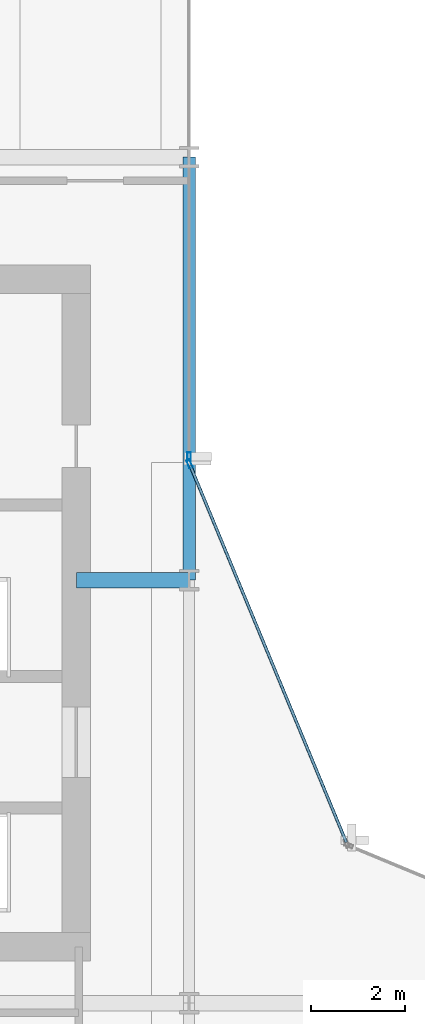
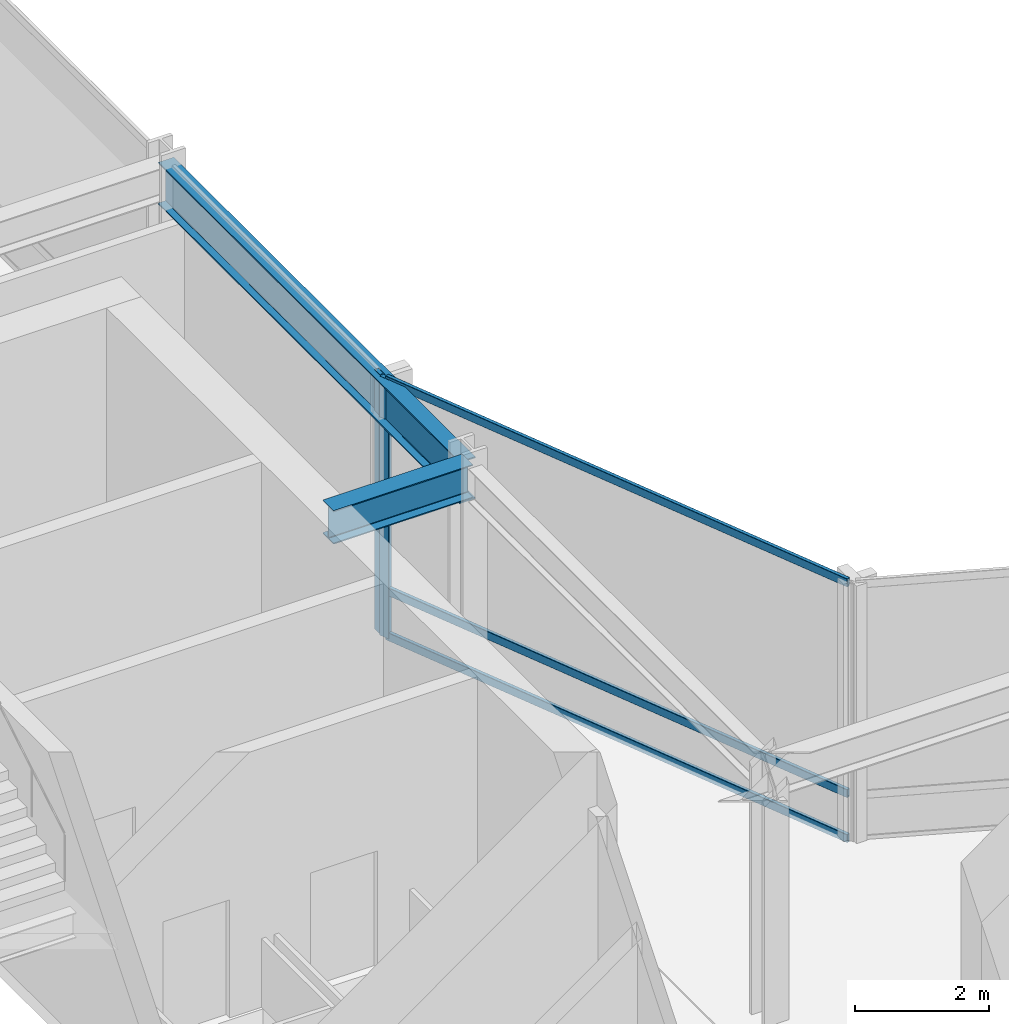
# One storey, part 17 of 33: 5 members, 2 beams, 2 elements without a shape of their own.
"""IFC4 building model written with IfcOpenShell, lengths in metres."""

from ifc_helpers import new_model, si_unit, direction, frame, origin, origin_2d, place, context, subcontext, project, spatial, hollow_rectangle, i_section, extrude, material, layer, layer_set, material_profile, profile_set, type_object, element, aggregate, save


model = new_model("IFC4")

# Units and contexts
model_context = context("Model", 3, precision=1e-05, world=origin(), true_north=direction((0.0, 1.0)))
body_context = subcontext(model_context, "Body", "Model", "MODEL_VIEW")
ifc_project = project(units=[si_unit("LENGTHUNIT", "METRE"), si_unit("AREAUNIT", "SQUARE_METRE"), si_unit("VOLUMEUNIT", "CUBIC_METRE"), si_unit("PLANEANGLEUNIT", "RADIAN"), si_unit("MASSUNIT", "GRAM", prefix="KILO")], contexts=[model_context])

# Site, building, storey
site_placement = place(None, origin())
site = spatial("IfcSite", under=ifc_project, at=site_placement, CompositionType="ELEMENT")
building_placement = place(site_placement, origin())
building = spatial("IfcBuilding", under=site, at=building_placement, Name="Solvaryn Broadcast Tower", CompositionType="ELEMENT")
storey_placement = place(building_placement, frame((0.0, 0.0, 105.0)))
storey = spatial("IfcBuildingStorey", under=building, at=storey_placement, Name="L25", CompositionType="ELEMENT", Elevation=105.0)

# Beams
ifc_material_1 = material(Name="Steel ASTM A992 Grade 50", Category="steel")
ifc_material_profile_1 = material_profile(ifc_material_1, i_section(OverallWidth=0.323974609375, OverallDepth=0.611083984375, WebThickness=0.0126953125, FlangeThickness=0.01904296875, FilletRadius=0.014892578125, at=origin_2d()))
ifc_profile_set_1 = profile_set([ifc_material_profile_1], Name="Steel ASTM A992 Grade 50")
beam_type_1 = type_object("IfcBeamType", Name="BM-B1-W24X104", PredefinedType="BEAM", material=ifc_profile_set_1)
beam_1_placement = place(storey_placement, frame((24.60009765625, 36.0, 4.41455078125), z_axis=(1.0, 0.0, 0.0), x_axis=(0.0, 1.0, 0.0)))
element("IfcBeam", 1, at=beam_1_placement, inside=storey, type_object=beam_type_1, Name="L25 Core Tie Beam CTW2", PredefinedType="BEAM", context=body_context, shape_type="SweptSolid", body=[
    extrude(i_section(OverallWidth=0.323974609375, OverallDepth=0.611083984375, WebThickness=0.0126953125, FlangeThickness=0.01904296875, FilletRadius=0.014892578125, at=origin_2d()), origin(), (0.0, 0.0, 1.0), 2.39990234375),
])
ifc_material_2 = material(Name="Steel ASTM A992 Grade 50", Category="steel")
ifc_material_profile_2 = material_profile(ifc_material_2, i_section(OverallWidth=0.26708984375, OverallDepth=0.76611328125, WebThickness=0.014892578125, FlangeThickness=0.023681640625, FilletRadius=0.01806640625, at=origin_2d()))
ifc_profile_set_2 = profile_set([ifc_material_profile_2], Name="Steel ASTM A992 Grade 50")
beam_type_2 = type_object("IfcBeamType", Name="BM-SP2-W30X124", PredefinedType="USERDEFINED", material=ifc_profile_set_2)
beam_2_placement = place(storey_placement, frame((27.0, 36.0, 4.3369140625), z_axis=(0.0, 1.0, 0.0), x_axis=(-1.0, 0.0, 0.0)))
element("IfcBeam", 2, at=beam_2_placement, inside=storey, type_object=beam_type_2, Name="L25 Spandrel Beam Y (36-45 @ X=27)", ObjectType="SPANDREL", PredefinedType="USERDEFINED", context=body_context, shape_type="SweptSolid", body=[
    extrude(i_section(OverallWidth=0.26708984375, OverallDepth=0.76611328125, WebThickness=0.014892578125, FlangeThickness=0.023681640625, FilletRadius=0.01806640625, at=origin_2d()), origin(), (0.0, 0.0, 1.0), 9.0),
])

# Curtain wall, member
ifc_material_3 = material(Name="Aluminium and Terracotta Unitised Curtain Wall", Category="masonry")
ifc_layer = layer(ifc_material_3, 0.25)
ifc_layer_set = layer_set([ifc_layer], Name="CW-SYS4-SKYGARDEN")
curtain_wall_type = type_object("IfcCurtainWallType", Name="CW-SYS4-SKYGARDEN", PredefinedType="NOTDEFINED", material=ifc_layer_set)
curtain_wall_1_placement = place(storey_placement, origin())
curtain_wall_1 = element("IfcCurtainWall", 3, at=curtain_wall_1_placement, inside=storey, type_object=curtain_wall_type, Name="L25 Curtain Wall IV", PredefinedType="NOTDEFINED")
ifc_material_4 = material(Name="Anodised Aluminium 6063-T6", Category="aluminium")
ifc_material_profile_3 = material_profile(ifc_material_4, hollow_rectangle(XDim=0.074951171875, YDim=0.179931640625, WallThickness=0.00390625, InnerFilletRadius=0.00390625, OuterFilletRadius=0.008056640625, at=origin_2d()))
ifc_profile_set_3 = profile_set([ifc_material_profile_3], Name="Anodised Aluminium 6063-T6")
member_type_1 = type_object("IfcMemberType", Name="CW-MUL-180", PredefinedType="MULLION", material=ifc_profile_set_3)
member_1_placement = place(storey_placement, frame((27.0, 38.6298828125, 0.0), z_axis=(0.0, 0.0, 1.0), x_axis=(1.0, 0.0, 0.0)))
member_1 = element("IfcMember", 4, at=member_1_placement, type_object=member_type_1, Name="CWS4 mullion 2", PredefinedType="MULLION", context=body_context, shape_type="SweptSolid", body=[
    extrude(hollow_rectangle(XDim=0.074951171875, YDim=0.179931640625, WallThickness=0.00390625, InnerFilletRadius=0.00390625, OuterFilletRadius=0.008056640625, at=origin_2d()), origin(), (0.0, 0.0, 1.0), 4.719970703125),
])
aggregate(curtain_wall_1, [member_1])

# Curtain wall, members
curtain_wall_2_placement = place(storey_placement, origin())
curtain_wall_2 = element("IfcCurtainWall", 5, at=curtain_wall_2_placement, inside=storey, type_object=curtain_wall_type, Name="L25 Curtain Wall CN2", PredefinedType="NOTDEFINED")
member_2_placement = place(storey_placement, frame((27.011474609375, 38.47216796875, 0.0), z_axis=(0.0, 0.0, 1.0), x_axis=(-0.923894983957, -0.382646127145, 0.0)))
member_2 = element("IfcMember", 6, at=member_2_placement, type_object=member_type_1, Name="CWS4 mullion 2", PredefinedType="MULLION", context=body_context, shape_type="SweptSolid", body=[
    extrude(hollow_rectangle(XDim=0.074951171875, YDim=0.179931640625, WallThickness=0.00390625, InnerFilletRadius=0.00390625, OuterFilletRadius=0.008056640625, at=origin_2d()), origin(), (0.0, 0.0, 1.0), 4.719970703125),
])
ifc_material_5 = material(Name="Anodised Aluminium 6063-T6", Category="aluminium")
ifc_material_profile_4 = material_profile(ifc_material_5, hollow_rectangle(XDim=0.06494140625, YDim=0.14990234375, WallThickness=0.00390625, InnerFilletRadius=0.00390625, OuterFilletRadius=0.008056640625, at=origin_2d()))
ifc_profile_set_4 = profile_set([ifc_material_profile_4], Name="Anodised Aluminium 6063-T6")
member_type_2 = type_object("IfcMemberType", Name="CW-TRN-150", PredefinedType="USERDEFINED", material=ifc_profile_set_4)
member_3_placement = place(storey_placement, frame((30.344970703125, 30.42333984375, 0.030029296875), z_axis=(-0.382635748975, 0.923899282177, 0.0), x_axis=(-0.923899282177, -0.382635748975, 0.0)))
member_3 = element("IfcMember", 7, at=member_3_placement, type_object=member_type_2, Name="CWS4 transom 1.1", ObjectType="TRANSOM", PredefinedType="USERDEFINED", context=body_context, shape_type="SweptSolid", body=[
    extrude(hollow_rectangle(XDim=0.06494140625, YDim=0.14990234375, WallThickness=0.00390625, InnerFilletRadius=0.00390625, OuterFilletRadius=0.008056640625, at=origin_2d()), origin(), (0.0, 0.0, 1.0), 8.681884765625),
])
member_4_placement = place(storey_placement, frame((30.344970703125, 30.42333984375, 0.85009765625), z_axis=(-0.382635748975, 0.923899282177, 0.0), x_axis=(-0.923899282177, -0.382635748975, 0.0)))
member_4 = element("IfcMember", 8, at=member_4_placement, type_object=member_type_2, Name="CWS4 transom 1.2", ObjectType="TRANSOM", PredefinedType="USERDEFINED", context=body_context, shape_type="SweptSolid", body=[
    extrude(hollow_rectangle(XDim=0.06494140625, YDim=0.14990234375, WallThickness=0.00390625, InnerFilletRadius=0.00390625, OuterFilletRadius=0.008056640625, at=origin_2d()), origin(), (0.0, 0.0, 1.0), 8.681884765625),
])
member_5_placement = place(storey_placement, frame((30.344970703125, 30.42333984375, 4.68994140625), z_axis=(-0.382635748975, 0.923899282177, 0.0), x_axis=(-0.923899282177, -0.382635748975, 0.0)))
member_5 = element("IfcMember", 9, at=member_5_placement, type_object=member_type_2, Name="CWS4 transom 1.3", ObjectType="TRANSOM", PredefinedType="USERDEFINED", context=body_context, shape_type="SweptSolid", body=[
    extrude(hollow_rectangle(XDim=0.06494140625, YDim=0.14990234375, WallThickness=0.00390625, InnerFilletRadius=0.00390625, OuterFilletRadius=0.008056640625, at=origin_2d()), origin(), (0.0, 0.0, 1.0), 8.681884765625),
])
aggregate(curtain_wall_2, [member_2, member_3, member_4, member_5])

save(model, "model.ifc")
